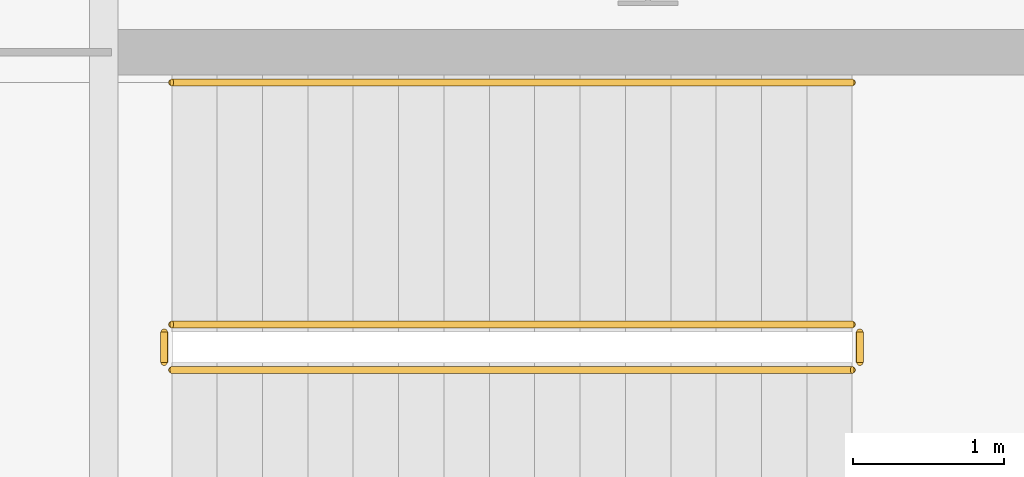
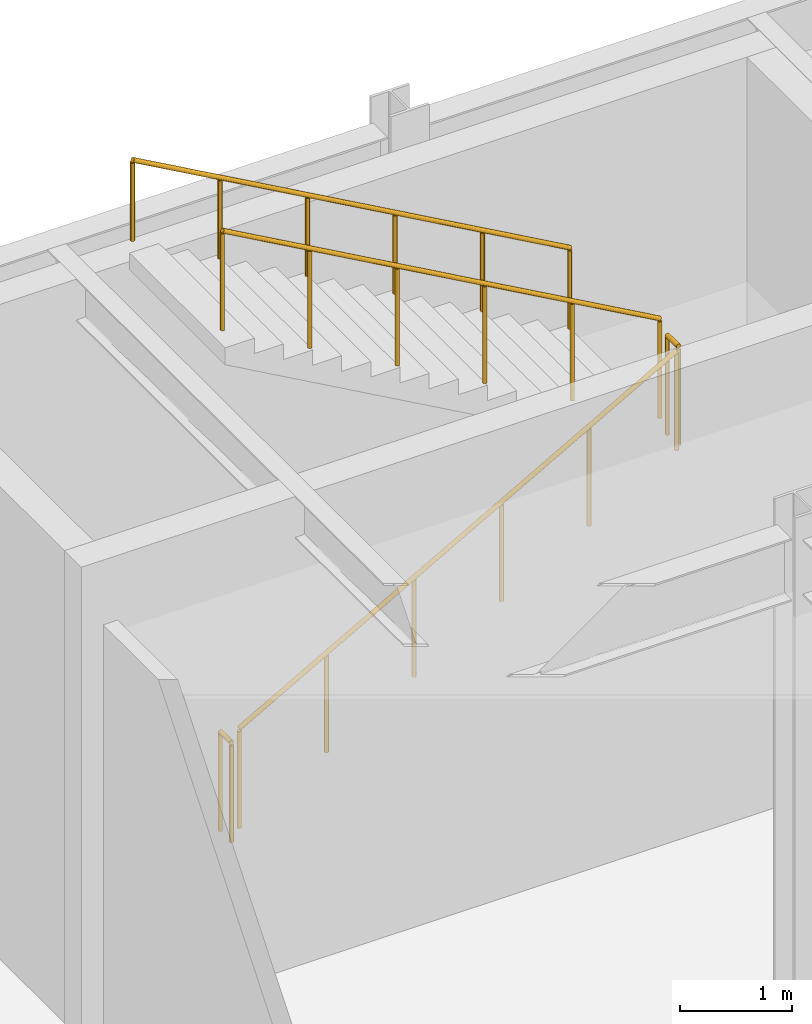
# One storey, part 102 of 104: 5 railings.
"""IFC4 building model written with IfcOpenShell, lengths in metres."""

from ifc_helpers import new_model, si_unit, direction, frame, origin, origin_2d, place, context, subcontext, project, spatial, circle, extrude, material, layer, layer_set, type_object, element, save


model = new_model("IFC4")

# Units and contexts
model_context = context("Model", 3, precision=1e-05, world=origin(), true_north=direction((0.0, 1.0)))
body_context = subcontext(model_context, "Body", "Model", "MODEL_VIEW")
ifc_project = project(units=[si_unit("LENGTHUNIT", "METRE"), si_unit("AREAUNIT", "SQUARE_METRE"), si_unit("VOLUMEUNIT", "CUBIC_METRE"), si_unit("PLANEANGLEUNIT", "RADIAN"), si_unit("MASSUNIT", "GRAM", prefix="KILO")], contexts=[model_context])

# Site, building, storey
site_placement = place(None, origin())
site = spatial("IfcSite", under=ifc_project, at=site_placement, CompositionType="ELEMENT")
building_placement = place(site_placement, origin())
building = spatial("IfcBuilding", under=site, at=building_placement, Name="Vaelcorin Mobility Hub", CompositionType="ELEMENT")
storey_placement = place(building_placement, origin())
storey = spatial("IfcBuildingStorey", under=building, at=storey_placement, Name="L00", CompositionType="ELEMENT", Elevation=0.0)

# Railings
ifc_material = material(Name="Brushed stainless steel 316L", Category="steel")
ifc_layer_1 = layer(ifc_material, 0.048095703125)
ifc_layer_set_1 = layer_set([ifc_layer_1], Name="Brushed stainless steel 316L")
railing_type_1 = type_object("IfcRailingType", Name="RL-STAIR-GRD", PredefinedType="GUARDRAIL", material=ifc_layer_set_1)
railing_1_placement = place(storey_placement, frame((179.25, 117.39990234375, 0.168701171875)))
element("IfcRailing", 1, at=railing_1_placement, inside=storey, type_object=railing_type_1, Name="L00 ST6 stair guard 1", PredefinedType="GUARDRAIL", context=body_context, shape_type="SweptSolid", body=[
    extrude(circle(Radius=0.02392578125, at=origin_2d()), frame((0.0, 0.0, 1.076171875), z_axis=(0.871575537125, 0.0, 0.490261239633), x_axis=(0.0, 1.0, 0.0)), (0.0, 0.0, 1.0), 5.1630859375),
    extrude(circle(Radius=0.02099609375, at=origin_2d()), origin(), (0.0, 0.0, 1.0), 1.052001953125),
    extrude(circle(Radius=0.02099609375, at=origin_2d()), frame((0.89990234375, 0.0, 0.50634765625)), (0.0, 0.0, 1.0), 1.052001953125),
    extrude(circle(Radius=0.02099609375, at=origin_2d()), frame((1.800048828125, 0.0, 1.012451171875)), (0.0, 0.0, 1.0), 1.052001953125),
    extrude(circle(Radius=0.02099609375, at=origin_2d()), frame((2.699951171875, 0.0, 1.518798828125)), (0.0, 0.0, 1.0), 1.052001953125),
    extrude(circle(Radius=0.02099609375, at=origin_2d()), frame((3.60009765625, 0.0, 2.02490234375)), (0.0, 0.0, 1.0), 1.052001953125),
    extrude(circle(Radius=0.02099609375, at=origin_2d()), frame((4.5, 0.0, 2.53125)), (0.0, 0.0, 1.0), 1.052001953125),
])
railing_2_placement = place(storey_placement, frame((183.800048828125, 117.449951171875, 2.699951171875)))
element("IfcRailing", 2, at=railing_2_placement, inside=storey, type_object=railing_type_1, Name="L00 ST6 stair guard 2", PredefinedType="GUARDRAIL", context=body_context, shape_type="SweptSolid", body=[
    extrude(circle(Radius=0.02392578125, at=origin_2d()), frame((0.0, 0.0, 1.076171875), z_axis=(0.0, 1.0, 0.0), x_axis=(-1.0, 0.0, 0.0)), (0.0, 0.0, 1.0), 0.199951171875),
    extrude(circle(Radius=0.02099609375, at=origin_2d()), origin(), (0.0, 0.0, 1.0), 1.052001953125),
    extrude(circle(Radius=0.02099609375, at=origin_2d()), frame((0.0, 0.199951171875, 0.0)), (0.0, 0.0, 1.0), 1.052001953125),
])
railing_3_placement = place(storey_placement, frame((183.75, 117.699951171875, 2.86865234375)))
element("IfcRailing", 3, at=railing_3_placement, inside=storey, type_object=railing_type_1, Name="L00 ST6 stair guard 3", PredefinedType="GUARDRAIL", context=body_context, shape_type="SweptSolid", body=[
    extrude(circle(Radius=0.02392578125, at=origin_2d()), frame((0.0, 0.0, 1.076171875), z_axis=(-0.871575537125, 0.0, 0.490261239633), x_axis=(0.0, -1.0, 0.0)), (0.0, 0.0, 1.0), 5.1630859375),
    extrude(circle(Radius=0.02099609375, at=origin_2d()), origin(), (0.0, 0.0, 1.0), 1.052001953125),
    extrude(circle(Radius=0.02099609375, at=origin_2d()), frame((-0.89990234375, 0.0, 0.50634765625)), (0.0, 0.0, 1.0), 1.052001953125),
    extrude(circle(Radius=0.02099609375, at=origin_2d()), frame((-1.800048828125, 0.0, 1.012451171875)), (0.0, 0.0, 1.0), 1.052001953125),
    extrude(circle(Radius=0.02099609375, at=origin_2d()), frame((-2.699951171875, 0.0, 1.518798828125)), (0.0, 0.0, 1.0), 1.052001953125),
    extrude(circle(Radius=0.02099609375, at=origin_2d()), frame((-3.60009765625, 0.0, 2.02490234375)), (0.0, 0.0, 1.0), 1.052001953125),
    extrude(circle(Radius=0.02099609375, at=origin_2d()), frame((-4.5, 0.0, 2.53125)), (0.0, 0.0, 1.0), 1.052001953125),
])
railing_4_placement = place(storey_placement, frame((179.199951171875, 117.449951171875, 0.0)))
element("IfcRailing", 4, at=railing_4_placement, inside=storey, type_object=railing_type_1, Name="L00 ST6 stair guard 4", PredefinedType="GUARDRAIL", context=body_context, shape_type="SweptSolid", body=[
    extrude(circle(Radius=0.02392578125, at=origin_2d()), frame((0.0, 0.0, 1.076171875), z_axis=(0.0, 1.0, 0.0), x_axis=(-1.0, 0.0, 0.0)), (0.0, 0.0, 1.0), 0.199951171875),
    extrude(circle(Radius=0.02099609375, at=origin_2d()), origin(), (0.0, 0.0, 1.0), 1.052001953125),
    extrude(circle(Radius=0.02099609375, at=origin_2d()), frame((0.0, 0.199951171875, 0.0)), (0.0, 0.0, 1.0), 1.052001953125),
])
ifc_layer_2 = layer(ifc_material, 0.048095703125)
ifc_layer_set_2 = layer_set([ifc_layer_2], Name="Brushed stainless steel 316L")
railing_type_2 = type_object("IfcRailingType", Name="RL-STAIR-HR", PredefinedType="HANDRAIL", material=ifc_layer_set_2)
railing_5_placement = place(storey_placement, frame((183.75, 119.300048828125, 2.86865234375)))
element("IfcRailing", 5, at=railing_5_placement, inside=storey, type_object=railing_type_2, Name="L00 ST6 stair handrail 2", PredefinedType="HANDRAIL", context=body_context, shape_type="SweptSolid", body=[
    extrude(circle(Radius=0.02392578125, at=origin_2d()), frame((0.0, 0.0, 0.8759765625), z_axis=(-0.871575537125, 0.0, 0.490261239633), x_axis=(0.0, -1.0, 0.0)), (0.0, 0.0, 1.0), 5.1630859375),
    extrude(circle(Radius=0.02099609375, at=origin_2d()), origin(), (0.0, 0.0, 1.0), 0.851806640625),
    extrude(circle(Radius=0.02099609375, at=origin_2d()), frame((-0.89990234375, 0.0, 0.50634765625)), (0.0, 0.0, 1.0), 0.851806640625),
    extrude(circle(Radius=0.02099609375, at=origin_2d()), frame((-1.800048828125, 0.0, 1.012451171875)), (0.0, 0.0, 1.0), 0.851806640625),
    extrude(circle(Radius=0.02099609375, at=origin_2d()), frame((-2.699951171875, 0.0, 1.518798828125)), (0.0, 0.0, 1.0), 0.851806640625),
    extrude(circle(Radius=0.02099609375, at=origin_2d()), frame((-3.60009765625, 0.0, 2.02490234375)), (0.0, 0.0, 1.0), 0.851806640625),
    extrude(circle(Radius=0.02099609375, at=origin_2d()), frame((-4.5, 0.0, 2.53125)), (0.0, 0.0, 1.0), 0.851806640625),
])

save(model, "model.ifc")
